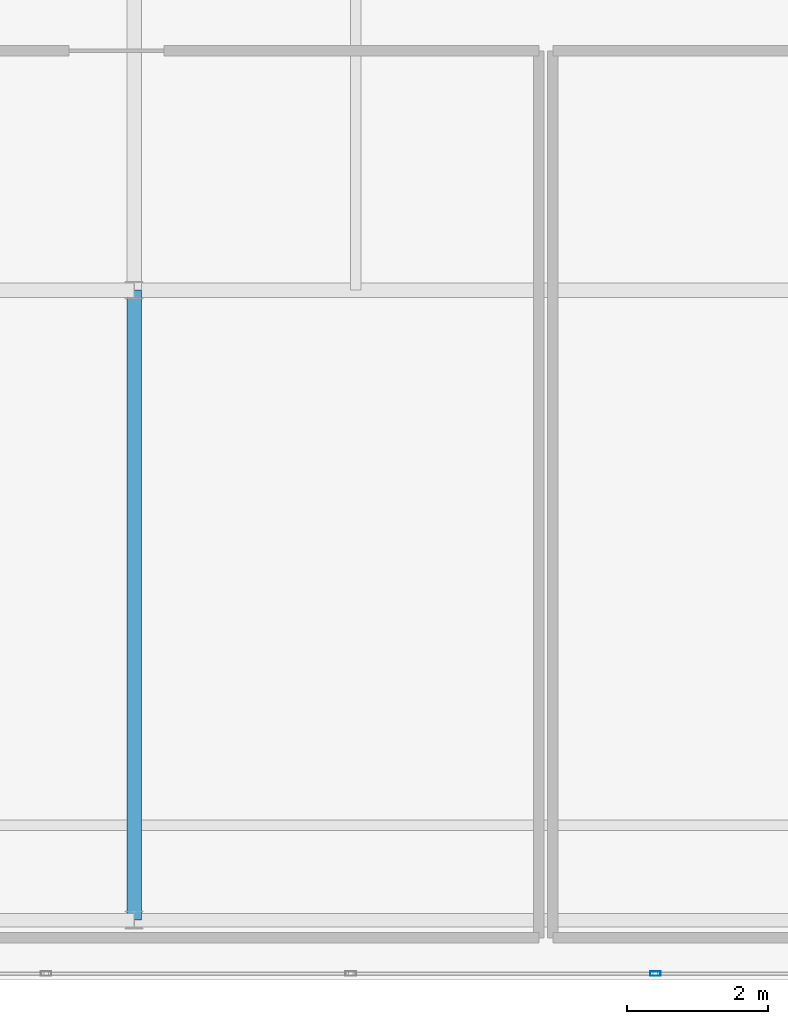
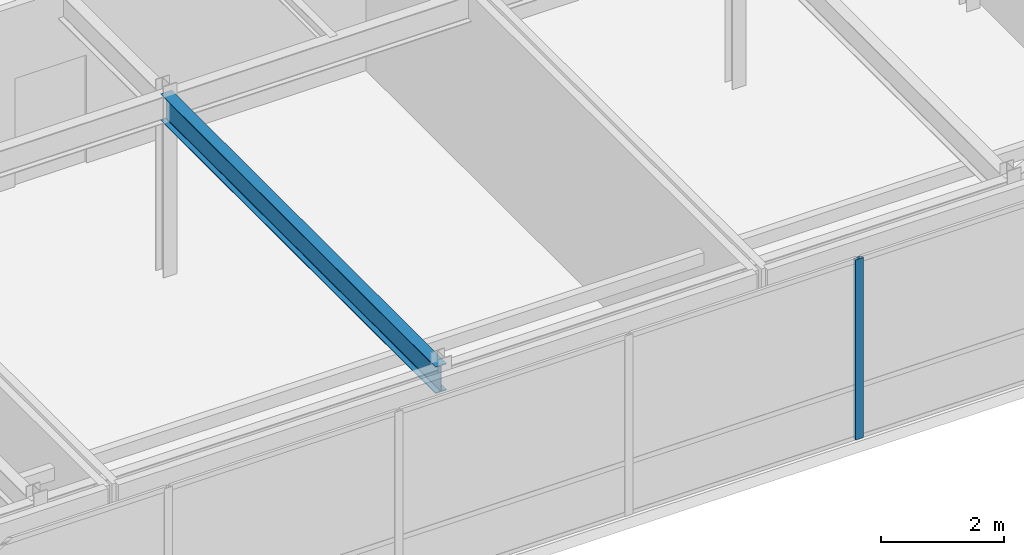
# One storey, part 13 of 36: 1 beam, 1 member, 1 element without a shape of its own.
"""IFC4 building model written with IfcOpenShell, lengths in metres."""

from ifc_helpers import new_model, si_unit, direction, frame, origin, origin_2d, place, context, subcontext, project, spatial, hollow_rectangle, i_section, extrude, source, transform, mapped, material, layer, layer_set, material_profile, profile_set, type_object, type_shapes, element, aggregate, save


model = new_model("IFC4")

# Units and contexts
model_context = context("Model", 3, precision=1e-05, world=origin(), true_north=direction((0.0, 1.0)))
body_context = subcontext(model_context, "Body", "Model", "MODEL_VIEW")
ifc_project = project(units=[si_unit("LENGTHUNIT", "METRE"), si_unit("AREAUNIT", "SQUARE_METRE"), si_unit("VOLUMEUNIT", "CUBIC_METRE"), si_unit("PLANEANGLEUNIT", "RADIAN"), si_unit("MASSUNIT", "GRAM", prefix="KILO")], contexts=[model_context])

# Site, building, storey
site_placement = place(None, origin())
site = spatial("IfcSite", under=ifc_project, at=site_placement, CompositionType="ELEMENT")
building_placement = place(site_placement, origin())
building = spatial("IfcBuilding", under=site, at=building_placement, Name="Tolvann Quenvar Hotel", CompositionType="ELEMENT")
storey_placement = place(building_placement, frame((0.0, 0.0, 302.35009765625)))
storey = spatial("IfcBuildingStorey", under=building, at=storey_placement, Name="L80", CompositionType="ELEMENT", Elevation=302.35009765625)

# Beam
ifc_material_1 = material(Name="Steel Grade 350", Category="steel")
ifc_material_profile_1 = material_profile(ifc_material_1, i_section(OverallWidth=0.208984375, OverallDepth=0.532958984375, WebThickness=0.01025390625, FlangeThickness=0.015625, FilletRadius=0.013916015625, at=origin_2d()), Name="530UB92")
ifc_profile_set_1 = profile_set([ifc_material_profile_1], Name="Steel Grade 350")
beam_type = type_object("IfcBeamType", Name="BM_GIRD_530UB92", PredefinedType="BEAM", material=ifc_profile_set_1)
shared_shape_1 = source(origin(), body_context, "Body", "SweptSolid", [
    extrude(i_section(OverallWidth=0.208984375, OverallDepth=0.532958984375, WebThickness=0.01025390625, FlangeThickness=0.015625, FilletRadius=0.013916015625, at=origin_2d()), origin(), (0.0, 0.0, 1.0), 8.949951171875),
])
type_shapes(beam_type, [shared_shape_1])
beam_placement = place(storey_placement, frame((22.050048828125, 7.050048828125, 3.3134765625), z_axis=(0.0, 1.0, 0.0), x_axis=(-1.0, 0.0, 0.0)))
element("IfcBeam", 1, at=beam_placement, inside=storey, type_object=beam_type, Name="BM-L80-NS-E2-E4", PredefinedType="BEAM", context=body_context, shape_type="MappedRepresentation", body=[
    mapped(shared_shape_1, transform((0.0, 0.0, 0.0), x_axis=(1.0, 0.0, 0.0), y_axis=(0.0, 1.0, 0.0), z_axis=(0.0, 0.0, 1.0), scale=1.0)),
])

# Curtain wall, member
ifc_material_2 = material(Name="Thermally broken anodised architectural aluminium 6063-T6 and laminated low-E glass", Category="aluminium")
ifc_layer = layer(ifc_material_2, 0.179931640625)
ifc_layer_set = layer_set([ifc_layer], Name="Thermally broken anodised architectural aluminium 6063-T6 and laminated low-E glass")
curtain_wall_type = type_object("IfcCurtainWallType", Name="CW_SYS_LANT_06", PredefinedType="USERDEFINED", material=ifc_layer_set)
curtain_wall_placement = place(storey_placement, origin())
curtain_wall = element("IfcCurtainWall", 2, at=curtain_wall_placement, inside=storey, type_object=curtain_wall_type, Name="Curtain Wall CW-LANT-06 (CWR-L80-E04)", ObjectType="UNITISED CURTAIN WALL", PredefinedType="USERDEFINED")
ifc_material_3 = material(Name="Anodised architectural aluminium 6063-T6 framing", Category="aluminium")
ifc_material_profile_2 = material_profile(ifc_material_3, hollow_rectangle(XDim=0.06494140625, YDim=0.14990234375, WallThickness=0.00390625, at=origin_2d()), Name="150x65x4RHS")
ifc_profile_set_2 = profile_set([ifc_material_profile_2], Name="Anodised architectural aluminium 6063-T6 framing")
member_type = type_object("IfcMemberType", Name="CW_MULL_150x65", PredefinedType="MULLION", material=ifc_profile_set_2)
shared_shape_2 = source(origin(), body_context, "Body", "SweptSolid", [
    extrude(hollow_rectangle(XDim=0.06494140625, YDim=0.14990234375, WallThickness=0.00390625, at=origin_2d()), origin(), (0.0, 0.0, 1.0), 3.579833984375),
])
type_shapes(member_type, [shared_shape_2])
member_placement = place(storey_placement, frame((29.455078125, 6.2900390625, 0.0), z_axis=(0.0, 0.0, 1.0), x_axis=(0.0, 1.0, 0.0)))
member = element("IfcMember", 3, at=member_placement, type_object=member_type, Name="CW-LANT-06 mullion 6", PredefinedType="MULLION", context=body_context, shape_type="MappedRepresentation", body=[
    mapped(shared_shape_2, transform((0.0, 0.0, 0.0), x_axis=(1.0, 0.0, 0.0), y_axis=(0.0, 1.0, 0.0), z_axis=(0.0, 0.0, 1.0), scale=1.0)),
])
aggregate(curtain_wall, [member])

save(model, "model.ifc")
